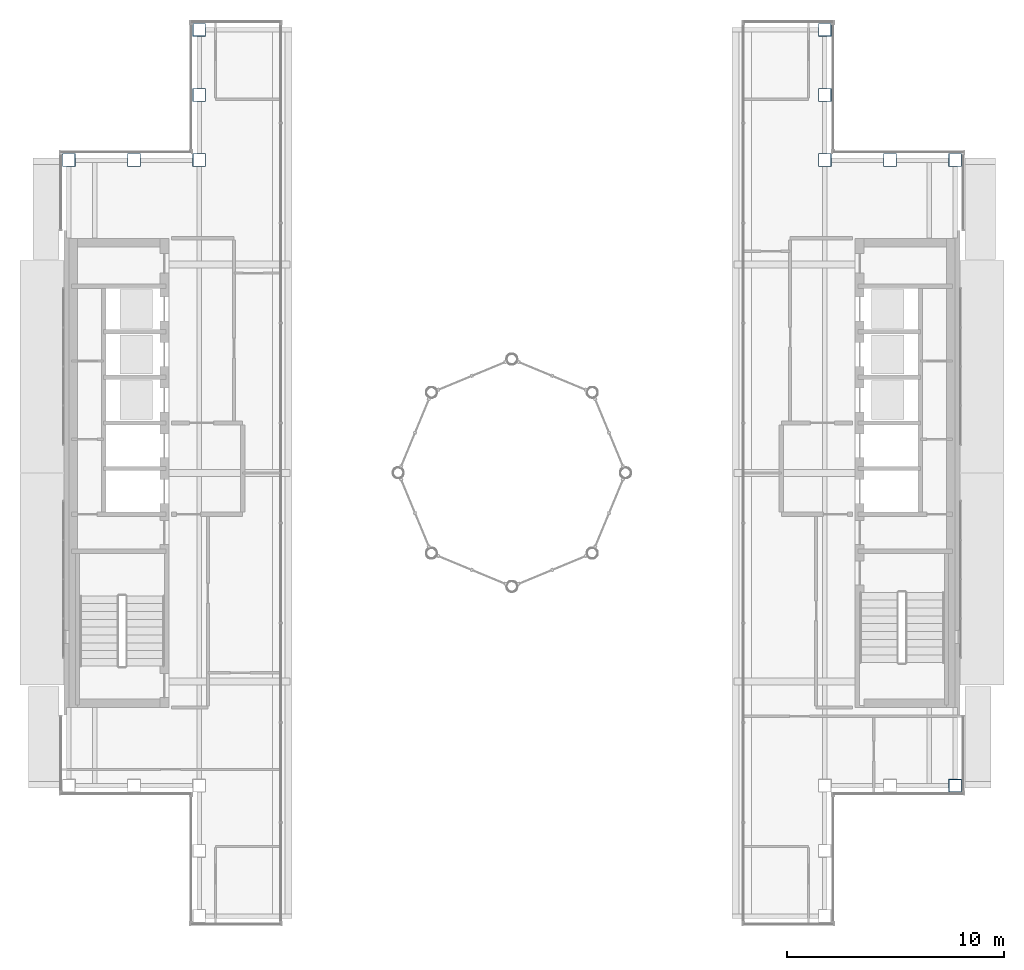
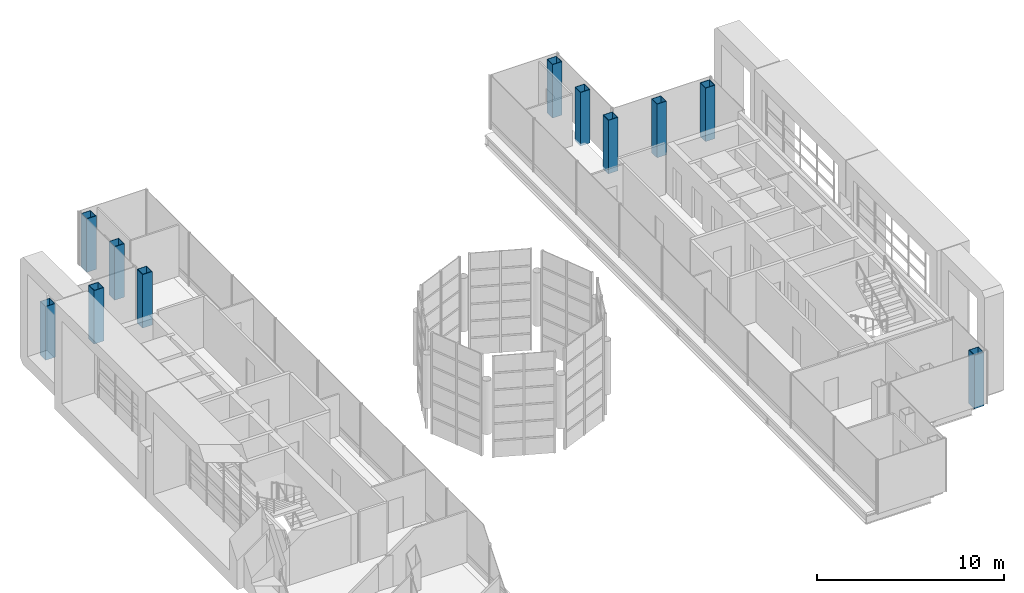
# One storey, part 2 of 21: 11 columns.
"""IFC4 building model written with IfcOpenShell, lengths in metres."""

from ifc_helpers import new_model, si_unit, direction, frame, origin, origin_2d, place, context, subcontext, project, spatial, hollow_rectangle, extrude, material, material_profile, profile_set, type_object, element, save


model = new_model("IFC4")

# Units and contexts
model_context = context("Model", 3, precision=1e-05, world=origin(), true_north=direction((0.0, 1.0)))
body_context = subcontext(model_context, "Body", "Model", "MODEL_VIEW")
ifc_project = project(units=[si_unit("LENGTHUNIT", "METRE"), si_unit("AREAUNIT", "SQUARE_METRE"), si_unit("VOLUMEUNIT", "CUBIC_METRE"), si_unit("PLANEANGLEUNIT", "RADIAN"), si_unit("MASSUNIT", "GRAM", prefix="KILO")], contexts=[model_context])

# Site, building, storey
site_placement = place(None, origin())
site = spatial("IfcSite", under=ifc_project, at=site_placement, CompositionType="ELEMENT")
building_placement = place(site_placement, origin())
building = spatial("IfcBuilding", under=site, at=building_placement, Name="Cobrizo Arcos Hotel Tower", CompositionType="ELEMENT")
storey_placement = place(building_placement, frame((0.0, 0.0, 283.0)))
storey = spatial("IfcBuildingStorey", under=building, at=storey_placement, Name="L75", CompositionType="ELEMENT", Elevation=283.0)

# Columns
ifc_material = material(Name="Steel ASTM A572 Grade 50", Category="steel")
ifc_material_profile = material_profile(ifc_material, hollow_rectangle(XDim=0.60009765625, YDim=0.60009765625, WallThickness=0.030029296875, at=origin_2d()), Name="BOX 600X600X30")
ifc_profile_set = profile_set([ifc_material_profile], Name="Steel ASTM A572 Grade 50")
column_type = type_object("IfcColumnType", Name="BOX 600X600X30 column", PredefinedType="COLUMN", material=ifc_profile_set)
for number, where, z_axis, x_axis, name in (
    (1, (-14.39990234375, 20.39990234375, -0.14990234375), (0.0, 0.0, 1.0), (1.0, 0.0, 0.0), "Perimeter column C12, L75, no. 00"),
    (2, (14.39990234375, 20.39990234375, -0.14990234375), (0.0, 0.0, 1.0), (1.0, 0.0, 0.0), "Perimeter column C12, L75, no. 02"),
    (3, (20.39990234375, -14.39990234375, -0.14990234375), (0.0, 0.0, 1.0), (1.0, 0.0, 0.0), "Perimeter column C12, L75, no. 04"),
    (4, (20.39990234375, 14.39990234375, -0.14990234375), (0.0, 0.0, 1.0), (1.0, 0.0, 0.0), "Perimeter column C12, L75, no. 06"),
    (5, (-20.39990234375, 14.39990234375, -0.14990234375), (0.0, 0.0, 1.0), (1.0, 0.0, 0.0), "Perimeter column C12, L75, no. 07"),
    (6, (-14.39990234375, 14.39990234375, -0.14990234375), (0.0, 0.0, 1.0), (1.0, 0.0, 0.0), "Perimeter column C12, L75, no. 11"),
    (7, (-14.39990234375, 17.39990234375, -0.14990234375), (0.0, 0.0, 1.0), (1.0, 0.0, 0.0), "Perimeter column C12, L75, no. 12"),
    (8, (-17.39990234375, 14.39990234375, -0.14990234375), (0.0, 0.0, 1.0), (1.0, 0.0, 0.0), "Perimeter column C12, L75, no. 13"),
    (9, (14.39990234375, 14.39990234375, -0.14990234375), (0.0, 0.0, 1.0), (1.0, 0.0, 0.0), "Perimeter column C12, L75, no. 17"),
    (10, (14.39990234375, 17.39990234375, -0.14990234375), (0.0, 0.0, 1.0), (1.0, 0.0, 0.0), "Perimeter column C12, L75, no. 18"),
    (11, (17.39990234375, 14.39990234375, -0.14990234375), (0.0, 0.0, 1.0), (1.0, 0.0, 0.0), "Perimeter column C12, L75, no. 19"),
):
    element("IfcColumn", number, at=place(storey_placement, frame(where, z_axis=z_axis, x_axis=x_axis)), inside=storey, type_object=column_type, Name=name, PredefinedType="COLUMN", context=body_context, shape_type="SweptSolid", body=[
        extrude(hollow_rectangle(XDim=0.60009765625, YDim=0.60009765625, WallThickness=0.030029296875, at=origin_2d()), origin(), (0.0, 0.0, 1.0), 3.5),
    ])

save(model, "model.ifc")
